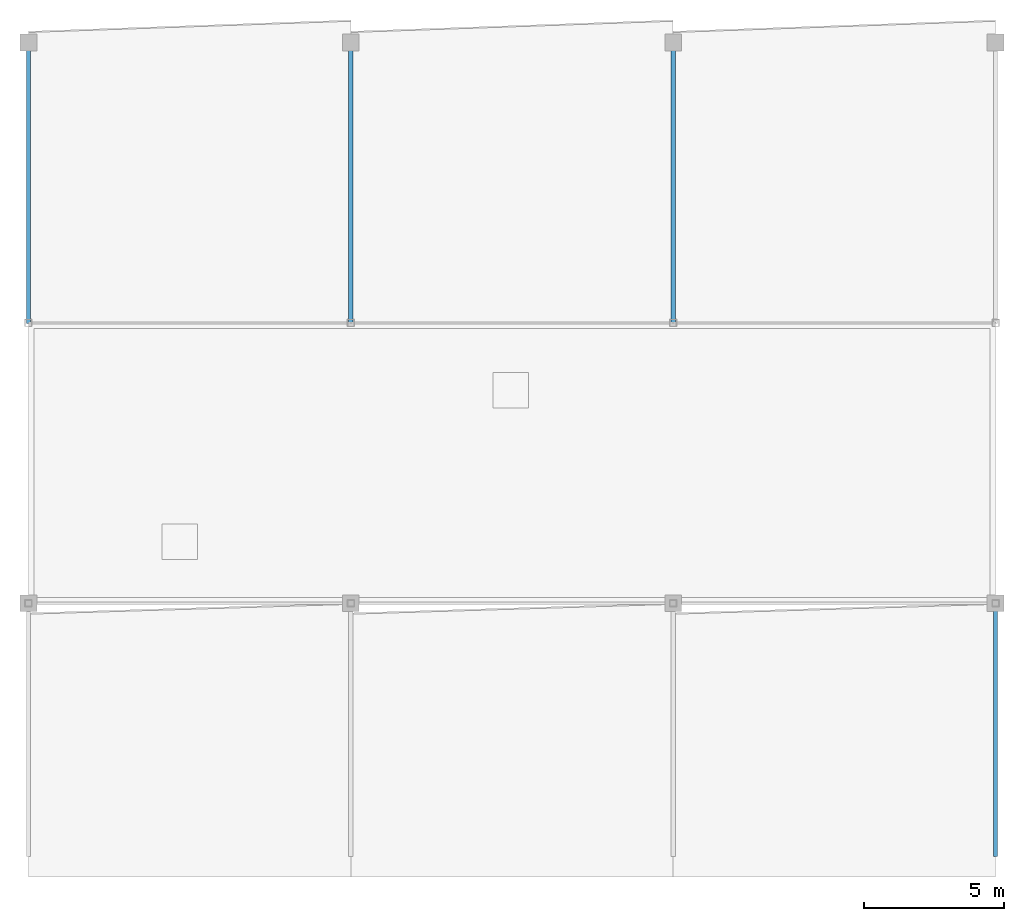
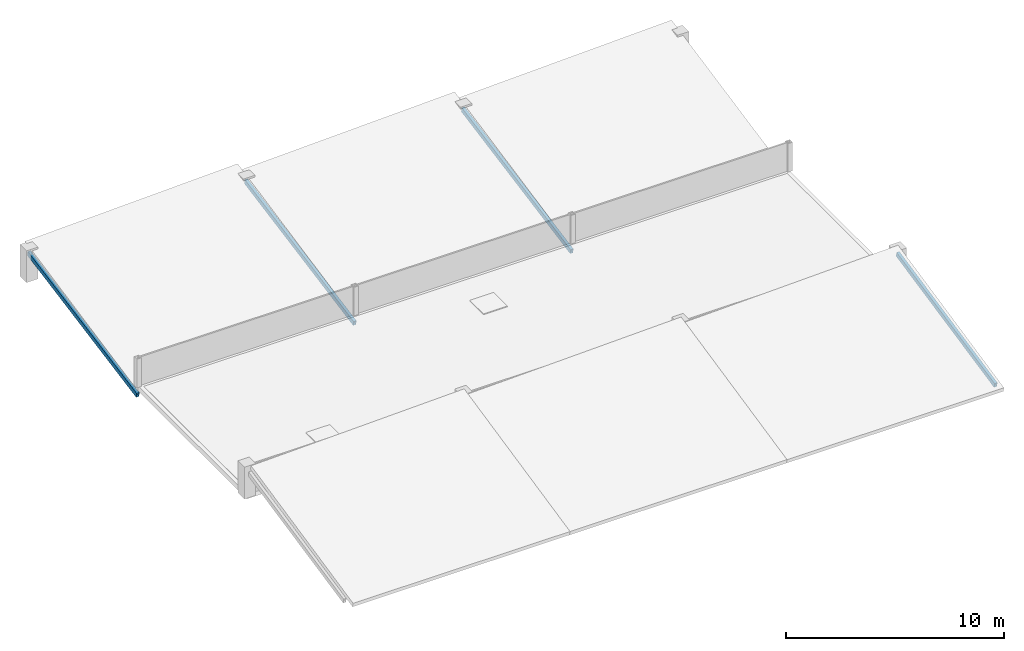
# One storey, part 3 of 6: 4 members.
"""IFC4 building model written with IfcOpenShell, lengths in metres."""

from ifc_helpers import new_model, si_unit, direction, frame, origin, origin_2d, place, context, subcontext, project, spatial, hollow_rectangle, extrude, material, material_profile, profile_set, type_object, element, save


model = new_model("IFC4")

# Units and contexts
model_context = context("Model", 3, precision=1e-05, world=origin(), true_north=direction((0.0, 1.0)))
body_context = subcontext(model_context, "Body", "Model", "MODEL_VIEW")
ifc_project = project(units=[si_unit("LENGTHUNIT", "METRE"), si_unit("AREAUNIT", "SQUARE_METRE"), si_unit("VOLUMEUNIT", "CUBIC_METRE"), si_unit("PLANEANGLEUNIT", "RADIAN"), si_unit("MASSUNIT", "GRAM", prefix="KILO")], contexts=[model_context])

# Site, building, storey
site_placement = place(None, origin())
site = spatial("IfcSite", under=ifc_project, at=site_placement, CompositionType="ELEMENT")
building_placement = place(site_placement, origin())
building = spatial("IfcBuilding", under=site, at=building_placement, Name="Ologun Quay Terminus", CompositionType="ELEMENT")
storey_placement = place(building_placement, frame((0.0, 0.0, 26.89990234375)))
storey = spatial("IfcBuildingStorey", under=building, at=storey_placement, Name="ROOF", CompositionType="ELEMENT", Elevation=26.89990234375)

# Members
ifc_material = material(Name="Steel S355", Category="steel")
ifc_material_profile = material_profile(ifc_material, hollow_rectangle(XDim=0.14990234375, YDim=0.25, WallThickness=0.008056640625, at=origin_2d()), Name="RHS 250x150x8")
ifc_profile_set = profile_set([ifc_material_profile], Name="Steel S355")
member_type = type_object("IfcMemberType", Name="Skylight Longitudinal Glazing Bar RHS200", PredefinedType="PURLIN", material=ifc_profile_set)
for number, where, z_axis, x_axis, name in (
    (1, (115.0, 104.800048828125, -0.519287109375), (0.0, 0.982426211006, 0.186651386085), (-1.0, 0.0, 0.0), "SK1 Inclined Roof Rafter ROOF-EWNG-11-JK"),
    (2, (126.5, 104.800048828125, -0.519287109375), (0.0, 0.982426211006, 0.186651386085), (-1.0, 0.0, 0.0), "SK1 Inclined Roof Rafter ROOF-EWNG-12-JK"),
    (3, (138.0, 104.800048828125, -0.519287109375), (0.0, 0.982426211006, 0.186651386085), (-1.0, 0.0, 0.0), "SK1 Inclined Roof Rafter ROOF-EWNG-13-JK"),
):
    element("IfcMember", number, at=place(storey_placement, frame(where, z_axis=z_axis, x_axis=x_axis)), inside=storey, type_object=member_type, Name=name, PredefinedType="PURLIN", context=body_context, shape_type="SweptSolid", body=[
        extrude(hollow_rectangle(XDim=0.14990234375, YDim=0.25, WallThickness=0.008056640625, at=origin_2d()), origin(), (0.0, 0.0, 1.0), 10.178955078125),
    ])
member_placement = place(storey_placement, frame((149.5, 85.800048828125, -0.5205078125), z_axis=(0.0, 0.978431065585, 0.206573594386), x_axis=(-1.0, 0.0, 0.0)))
element("IfcMember", 4, at=member_placement, inside=storey, type_object=member_type, Name="SK1 Inclined Roof Rafter ROOF-EWNG-14-GH", PredefinedType="PURLIN", context=body_context, shape_type="SweptSolid", body=[
    extrude(hollow_rectangle(XDim=0.14990234375, YDim=0.25, WallThickness=0.008056640625, at=origin_2d()), origin(), (0.0, 0.0, 1.0), 9.198486328125),
])

save(model, "model.ifc")
